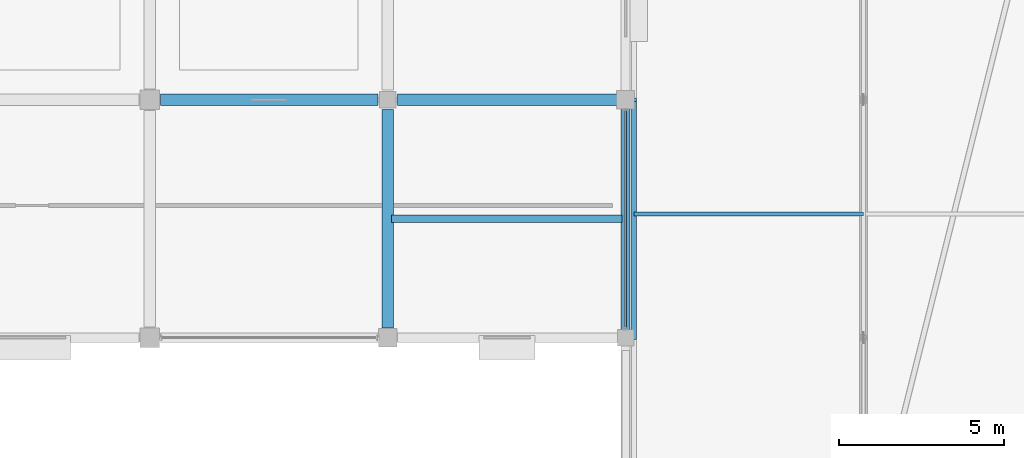
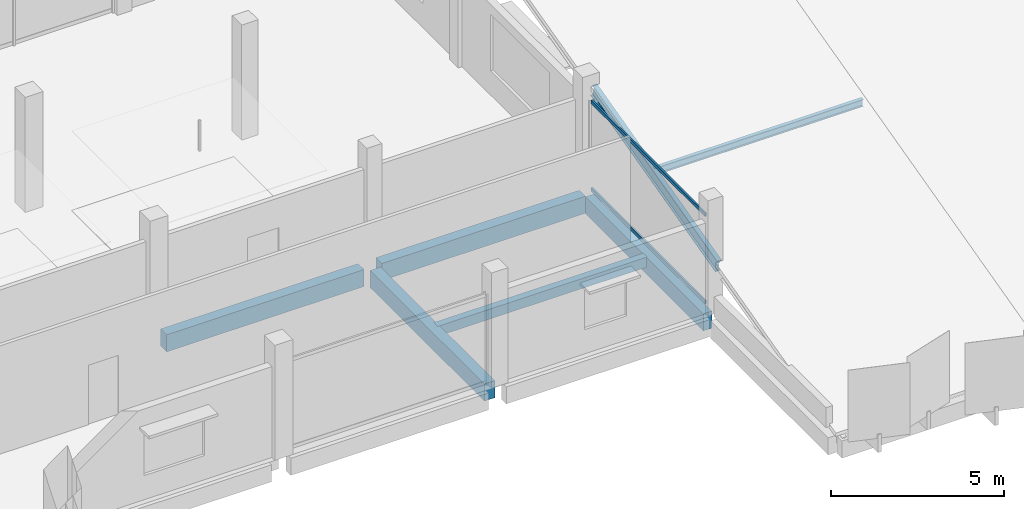
# One storey, part 23 of 108: 5 beams, 4 members, 1 element without a shape of its own.
"""IFC4 building model written with IfcOpenShell, lengths in metres."""

from ifc_helpers import new_model, si_unit, direction, frame, origin, origin_2d, place, context, subcontext, project, spatial, rectangle, hollow_rectangle, i_section, extrude, material, layer, layer_set, material_profile, profile_set, type_object, element, aggregate, save


model = new_model("IFC4")

# Units and contexts
model_context = context("Model", 3, precision=1e-05, world=origin(), true_north=direction((0.0, 1.0)))
body_context = subcontext(model_context, "Body", "Model", "MODEL_VIEW")
ifc_project = project(units=[si_unit("LENGTHUNIT", "METRE"), si_unit("AREAUNIT", "SQUARE_METRE"), si_unit("VOLUMEUNIT", "CUBIC_METRE"), si_unit("PLANEANGLEUNIT", "RADIAN"), si_unit("MASSUNIT", "GRAM", prefix="KILO")], contexts=[model_context])

# Site, building, storey
site_placement = place(None, origin())
site = spatial("IfcSite", under=ifc_project, at=site_placement, CompositionType="ELEMENT")
building_placement = place(site_placement, origin())
building = spatial("IfcBuilding", under=site, at=building_placement, Name="Kangsadwip Square Police Headquarters", CompositionType="ELEMENT")
storey_placement = place(building_placement, frame((0.0, 0.0, 9.449951171875)))
storey = spatial("IfcBuildingStorey", under=building, at=storey_placement, Name="L02", CompositionType="ELEMENT", Elevation=9.449951171875)

# Curtain wall, members
ifc_material_1 = material(Name="Thermally broken anodised aluminium AW-6063-T6", Category="aluminium")
ifc_layer = layer(ifc_material_1, 0.159912109375)
ifc_layer_set = layer_set([ifc_layer], Name="Thermally broken anodised aluminium AW-6063-T6")
curtain_wall_type = type_object("IfcCurtainWallType", Name="CourtScreen6685x3200", PredefinedType="USERDEFINED", material=ifc_layer_set)
curtain_wall_placement = place(storey_placement, origin())
curtain_wall = element("IfcCurtainWall", 1, at=curtain_wall_placement, inside=storey, type_object=curtain_wall_type, Name="Curtain Wall CW-L02-0432-0938", ObjectType="GLAZED_SCREEN", PredefinedType="USERDEFINED")
ifc_material_2 = material(Name="Thermally broken anodised aluminium AW-6063-T6", Category="aluminium")
ifc_material_profile_1 = material_profile(ifc_material_2, hollow_rectangle(XDim=0.06005859375, YDim=0.1201171875, WallThickness=0.00390625, at=origin_2d()), Name="CWT 120X60X4")
ifc_profile_set_1 = profile_set([ifc_material_profile_1], Name="Thermally broken anodised aluminium AW-6063-T6")
member_type_1 = type_object("IfcMemberType", Name="CwTransom120x55", PredefinedType="USERDEFINED", material=ifc_profile_set_1)
member_1_placement = place(storey_placement, frame((43.199951171875, 93.905029296875, 0.06005859375), z_axis=(0.0, 1.0, 0.0), x_axis=(-1.0, 0.0, 0.0)))
member_1 = element("IfcMember", 2, at=member_1_placement, type_object=member_type_1, Name="CW-35 transom 1.1", ObjectType="TRANSOM", PredefinedType="USERDEFINED", context=body_context, shape_type="SweptSolid", body=[
    extrude(hollow_rectangle(XDim=0.06005859375, YDim=0.1201171875, WallThickness=0.00390625, at=origin_2d()), origin(), (0.0, 0.0, 1.0), 6.56494140625),
])
member_2_placement = place(storey_placement, frame((43.199951171875, 93.905029296875, 3.14013671875), z_axis=(0.0, 1.0, 0.0), x_axis=(-1.0, 0.0, 0.0)))
member_2 = element("IfcMember", 3, at=member_2_placement, type_object=member_type_1, Name="CW-35 transom 1.2", ObjectType="TRANSOM", PredefinedType="USERDEFINED", context=body_context, shape_type="SweptSolid", body=[
    extrude(hollow_rectangle(XDim=0.06005859375, YDim=0.1201171875, WallThickness=0.00390625, at=origin_2d()), origin(), (0.0, 0.0, 1.0), 6.56494140625),
])
aggregate(curtain_wall, [member_1, member_2])

# Beams
ifc_material_3 = material(Name="Concrete M35 (35 MPa)", Category="concrete")
ifc_material_profile_2 = material_profile(ifc_material_3, rectangle(XDim=0.35009765625, YDim=0.60009765625, at=origin_2d()), Name="RC BM 600X350")
ifc_profile_set_2 = profile_set([ifc_material_profile_2], Name="Concrete M35 (35 MPa)")
beam_type_1 = type_object("IfcBeamType", Name="RcBeam600x350", PredefinedType="BEAM", material=ifc_profile_set_2)
beam_1_placement = place(storey_placement, frame((29.125, 100.800048828125, -0.5400390625), z_axis=(1.0, 0.0, 0.0), x_axis=(0.0, 1.0, 0.0)))
element("IfcBeam", 4, at=beam_1_placement, inside=storey, type_object=beam_type_1, Name="Beam BM-L02-X-04-14", PredefinedType="BEAM", context=body_context, shape_type="SweptSolid", body=[
    extrude(rectangle(XDim=0.35009765625, YDim=0.60009765625, at=origin_2d()), origin(), (0.0, 0.0, 1.0), 6.574951171875),
])
beam_2_placement = place(storey_placement, frame((36.300048828125, 100.800048828125, -0.5400390625), z_axis=(1.0, 0.0, 0.0), x_axis=(0.0, 1.0, 0.0)))
element("IfcBeam", 5, at=beam_2_placement, inside=storey, type_object=beam_type_1, Name="Beam BM-L02-X-05-14", PredefinedType="BEAM", context=body_context, shape_type="SweptSolid", body=[
    extrude(rectangle(XDim=0.35009765625, YDim=0.60009765625, at=origin_2d()), origin(), (0.0, 0.0, 1.0), 6.77490234375),
])
beam_3_placement = place(storey_placement, frame((36.0, 93.89990234375, -0.5400390625), z_axis=(0.0, 1.0, 0.0), x_axis=(-1.0, 0.0, 0.0)))
element("IfcBeam", 6, at=beam_3_placement, inside=storey, type_object=beam_type_1, Name="Beam BM-L02-Y-05-13", PredefinedType="BEAM", context=body_context, shape_type="SweptSolid", body=[
    extrude(rectangle(XDim=0.35009765625, YDim=0.60009765625, at=origin_2d()), origin(), (0.0, 0.0, 1.0), 6.60009765625),
])
ifc_material_4 = material(Name="Concrete M35 (35 MPa)", Category="concrete")
ifc_material_profile_3 = material_profile(ifc_material_4, rectangle(XDim=0.22998046875, YDim=0.35009765625, at=origin_2d()), Name="RC JST 350X230")
ifc_profile_set_3 = profile_set([ifc_material_profile_3], Name="Concrete M35 (35 MPa)")
beam_type_2 = type_object("IfcBeamType", Name="RcJoist350x230", PredefinedType="JOIST", material=ifc_profile_set_3)
beam_4_placement = place(storey_placement, frame((36.110107421875, 97.199951171875, -0.4150390625), z_axis=(1.0, 0.0, 0.0), x_axis=(0.0, 1.0, 0.0)))
element("IfcBeam", 7, at=beam_4_placement, inside=storey, type_object=beam_type_2, Name="Secondary Joist JST-L02-05-13", PredefinedType="JOIST", context=body_context, shape_type="SweptSolid", body=[
    extrude(rectangle(XDim=0.22998046875, YDim=0.35009765625, at=origin_2d()), origin(), (0.0, 0.0, 1.0), 6.97998046875),
])
ifc_material_5 = material(Name="Concrete M40 (40 MPa)", Category="concrete")
ifc_material_profile_4 = material_profile(ifc_material_5, rectangle(XDim=0.280029296875, YDim=0.60009765625, at=origin_2d()), Name="RC SPN 600X280")
ifc_profile_set_4 = profile_set([ifc_material_profile_4], Name="Concrete M40 (40 MPa)")
beam_type_3 = type_object("IfcBeamType", Name="RcSpandrel600x280", PredefinedType="SPANDREL", material=ifc_profile_set_4)
beam_5_placement = place(storey_placement, frame((43.199951171875, 93.800048828125, -0.5400390625), z_axis=(0.0, 1.0, 0.0), x_axis=(-1.0, 0.0, 0.0)))
element("IfcBeam", 8, at=beam_5_placement, inside=storey, type_object=beam_type_3, Name="Beam BM-L02-Y-06-13", PredefinedType="SPANDREL", context=body_context, shape_type="SweptSolid", body=[
    extrude(rectangle(XDim=0.280029296875, YDim=0.60009765625, at=origin_2d()), origin(), (0.0, 0.0, 1.0), 6.800048828125),
])

# Members
ifc_material_6 = material(Name="Structural steel IS 2062 E350 (Grade 350, 350 MPa)", Category="steel")
ifc_material_profile_5 = material_profile(ifc_material_6, i_section(OverallWidth=0.125, OverallDepth=0.25, WebThickness=0.0068359375, FlangeThickness=0.012451171875, at=origin_2d()), Name="ISMB 250")
ifc_profile_set_5 = profile_set([ifc_material_profile_5], Name="Structural steel IS 2062 E350 (Grade 350, 350 MPa)")
member_type_2 = type_object("IfcMemberType", Name="RoofPurlinIsmb250", PredefinedType="PURLIN", material=ifc_profile_set_5)
member_3_placement = place(storey_placement, frame((43.449951171875, 97.343994140625, 2.507080078125), z_axis=(1.0, 0.0, 0.0), x_axis=(0.0, 1.0, 0.0)))
element("IfcMember", 9, at=member_3_placement, inside=storey, type_object=member_type_2, Name="Truss Member MEM-L02-0080", PredefinedType="PURLIN", context=body_context, shape_type="SweptSolid", body=[
    extrude(i_section(OverallWidth=0.125, OverallDepth=0.25, WebThickness=0.0068359375, FlangeThickness=0.012451171875, at=origin_2d()), origin(), (0.0, 0.0, 1.0), 6.949951171875),
])
ifc_material_7 = material(Name="Structural steel IS 2062 E350 (Grade 350, 350 MPa)", Category="steel")
ifc_material_profile_6 = material_profile(ifc_material_7, i_section(OverallWidth=0.14990234375, OverallDepth=0.449951171875, WebThickness=0.009521484375, FlangeThickness=0.017333984375, at=origin_2d()), Name="ISMB 450")
ifc_profile_set_6 = profile_set([ifc_material_profile_6], Name="Structural steel IS 2062 E350 (Grade 350, 350 MPa)")
member_type_3 = type_object("IfcMemberType", Name="SawtoothRafterIsmb450", PredefinedType="RAFTER", material=ifc_profile_set_6)
member_4_placement = place(storey_placement, frame((43.449951171875, 93.60009765625, 1.429931640625), z_axis=(0.0, 0.96853569304, 0.248874689968), x_axis=(-1.0, 0.0, 0.0)))
element("IfcMember", 10, at=member_4_placement, inside=storey, type_object=member_type_3, Name="Truss Member MEM-L02-0002", PredefinedType="RAFTER", context=body_context, shape_type="SweptSolid", body=[
    extrude(i_section(OverallWidth=0.14990234375, OverallDepth=0.449951171875, WebThickness=0.009521484375, FlangeThickness=0.017333984375, at=origin_2d()), origin(), (0.0, 0.0, 1.0), 7.433837890625),
])

save(model, "model.ifc")
